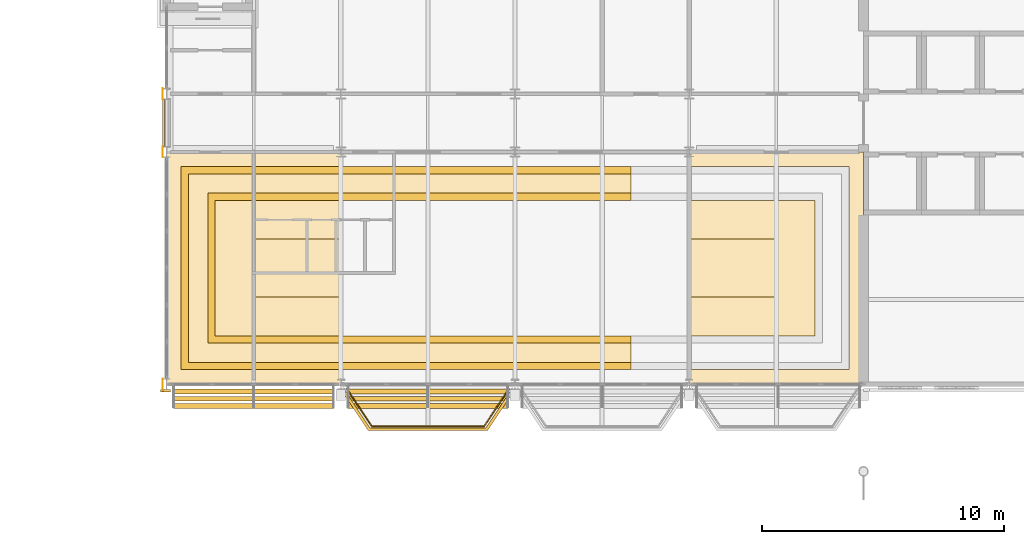
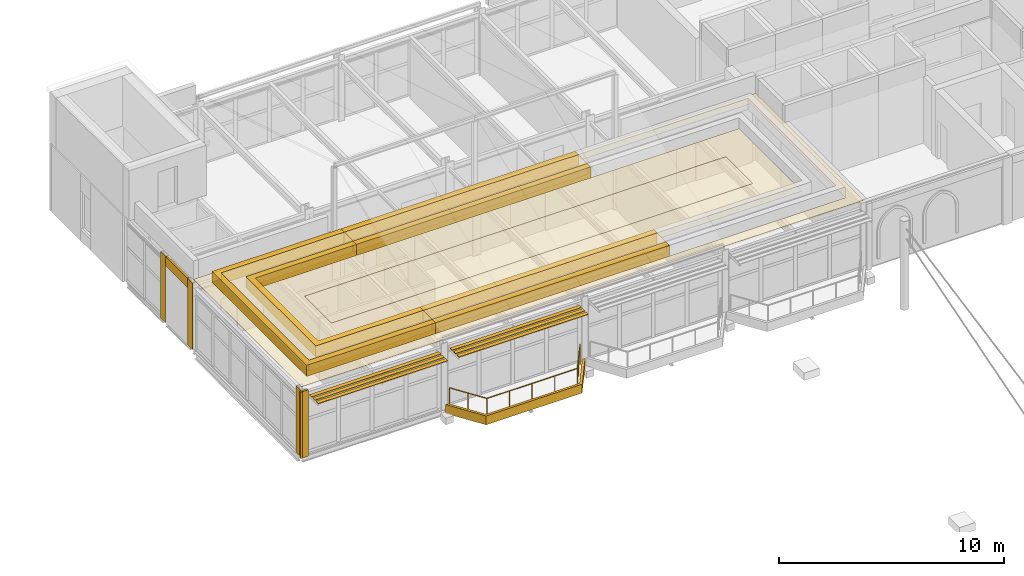
# One storey, part 61 of 68: 19 coverings, 6 shading devices, 1 railing.
"""IFC4 building model written with IfcOpenShell, lengths in metres."""

import ifcopenshell
import ifcopenshell.guid

model = None  # the IFC model being written
_history = None  # IfcOwnerHistory: only IFC2X3 demands one
_inside = {}  # id of a spatial element -> (the spatial element, [elements in it])
_under = {}  # id of a project, library or spatial element -> (it, [spatial elements below it])
_declared = {}  # id of a project -> (the project, [libraries it declares])
_typed = {}  # id of a type object -> (the type object, [elements of that type])
_made_of = {}  # id of a material, layer set ... -> (it, [elements and type objects made of it])


def new_model(schema):
    """Start an empty IFC model of exactly this schema.

    Asked for "IFC4X3", IfcOpenShell would pick the latest addendum, in which some entities
    have other attributes; the version numbers below select the first issue.
    IFC2X3 requires an IfcOwnerHistory on every rooted entity: one is made here for all.
    """
    global model, _history
    if schema == "IFC4X3":
        model = ifcopenshell.file(schema_version=(4, 3, 0, 0))
    else:
        model = ifcopenshell.file(schema=schema)
    _inside.clear()
    _under.clear()
    _declared.clear()
    _typed.clear()
    _made_of.clear()
    _history = None
    if model.schema == "IFC2X3":
        org = make("IfcOrganization", Name="unknown")
        user = make(
            "IfcPersonAndOrganization",
            ThePerson=make("IfcPerson", FamilyName="unknown"),
            TheOrganization=org,
        )
        app = make(
            "IfcApplication",
            ApplicationDeveloper=org,
            Version="unknown",
            ApplicationFullName="unknown",
            ApplicationIdentifier="unknown",
        )
        _history = make(
            "IfcOwnerHistory",
            OwningUser=user,
            OwningApplication=app,
            ChangeAction="ADDED",
            CreationDate=0,
        )
    return model


def make(cls, **values):
    """One entity of the class cls with the attributes given. An attribute that is None is left unset."""
    return model.create_entity(
        cls, **{name: value for name, value in values.items() if value is not None}
    )


def rooted(cls, **values):
    """An entity with a GlobalId (a new one), such as an element, a storey or a relation."""
    return make(cls, GlobalId=ifcopenshell.guid.new(), OwnerHistory=_history, **values)


def si_unit(unit_type, name, prefix=None):
    """IfcSIUnit, for example si_unit("LENGTHUNIT", "METRE", prefix="MILLI")."""
    return make("IfcSIUnit", UnitType=unit_type, Prefix=prefix, Name=name)


def assignment(units):
    """IfcUnitAssignment: the units of a project."""
    return None if units is None else make("IfcUnitAssignment", Units=units)


def point(xyz):
    """IfcCartesianPoint."""
    return None if xyz is None else make("IfcCartesianPoint", Coordinates=xyz)


def direction(xyz):
    """IfcDirection."""
    return None if xyz is None else make("IfcDirection", DirectionRatios=xyz)


def frame(location, z_axis=None, x_axis=None):
    """IfcAxis2Placement3D, a coordinate frame: its origin and axes. An axis left out is left unset."""
    return make(
        "IfcAxis2Placement3D",
        Location=point(location),
        Axis=direction(z_axis),
        RefDirection=direction(x_axis),
    )


def frame_2d(location, x_axis=None):
    """IfcAxis2Placement2D, a coordinate frame in the plane: its origin and x axis."""
    return make(
        "IfcAxis2Placement2D", Location=point(location), RefDirection=direction(x_axis)
    )


def origin():
    """The frame at (0, 0, 0) with its axes left unset."""
    return frame((0.0, 0.0, 0.0))


def origin_2d():
    """The frame at (0, 0) in the plane with its x axis left unset."""
    return frame_2d((0.0, 0.0))


def place(relative_to, where):
    """IfcLocalPlacement: puts the frame where relative to a parent placement (None: the world)."""
    return make(
        "IfcLocalPlacement", PlacementRelTo=relative_to, RelativePlacement=where
    )


def context(
    kind, dimensions, precision=None, world=None, true_north=None, identifier=None
):
    """IfcGeometricRepresentationContext, for example the 3D "Model" context."""
    return make(
        "IfcGeometricRepresentationContext",
        ContextIdentifier=identifier,
        ContextType=kind,
        CoordinateSpaceDimension=dimensions,
        Precision=precision,
        WorldCoordinateSystem=world,
        TrueNorth=true_north,
    )


def subcontext(parent, identifier, kind, view, scale=None):
    """IfcGeometricRepresentationSubContext, for example "Body" below "Model"."""
    return make(
        "IfcGeometricRepresentationSubContext",
        ContextIdentifier=identifier,
        ContextType=kind,
        ParentContext=parent,
        TargetScale=scale,
        TargetView=view,
    )


def project(units=None, contexts=None):
    """IfcProject with its units and contexts."""
    return rooted(
        "IfcProject",
        Name="project",
        RepresentationContexts=contexts,
        UnitsInContext=assignment(units),
    )


def spatial(cls, under=None, at=None, **own):
    """A site, building, storey or space (cls), placed at a placement, below another one or the project."""
    s = rooted(cls, ObjectPlacement=at, **own)
    if under is not None:
        _under.setdefault(under.id(), (under, []))[1].append(s)
    return s


def polyline(points):
    """IfcPolyline through the points."""
    return make("IfcPolyline", Points=[point(p) for p in points])


def profile(cls, at=None, kind="AREA", **sizes):
    """A parametric profile (cls). Its sizes go by their IFC names, for example OverallWidth=200.0."""
    return make(cls, ProfileType=kind, Position=at, **sizes)


def rectangle(**sizes):
    """IfcRectangleProfileDef."""
    return profile("IfcRectangleProfileDef", **sizes)


def circle(**sizes):
    """IfcCircleProfileDef."""
    return profile("IfcCircleProfileDef", **sizes)


def outline(outer, holes=None, kind="AREA"):
    """IfcArbitraryClosedProfileDef: a profile drawn as a closed curve; with holes, ...WithVoids."""
    if holes is None:
        return make("IfcArbitraryClosedProfileDef", ProfileType=kind, OuterCurve=outer)
    return make(
        "IfcArbitraryProfileDefWithVoids",
        ProfileType=kind,
        OuterCurve=outer,
        InnerCurves=holes,
    )


def extrude(swept, where, along, depth):
    """IfcExtrudedAreaSolid: the profile swept, set in the frame where, extruded along a direction by depth."""
    return make(
        "IfcExtrudedAreaSolid",
        SweptArea=swept,
        Position=where,
        ExtrudedDirection=direction(along),
        Depth=depth,
    )


def shape(context_of_items, identifier, shape_type, items):
    """IfcShapeRepresentation: the items that make up one representation, for example the "Body"."""
    return make(
        "IfcShapeRepresentation",
        ContextOfItems=context_of_items,
        RepresentationIdentifier=identifier,
        RepresentationType=shape_type,
        Items=items,
    )


def material(Name=None, Category=None):
    """IfcMaterial."""
    return make("IfcMaterial", Name=Name, Category=Category)


def layer(
    of_material, thickness, ventilated=None, Name=None, Category=None, Priority=None
):
    """IfcMaterialLayer: one layer of a wall or slab, of a material (None: an air gap)."""
    return make(
        "IfcMaterialLayer",
        Material=of_material,
        LayerThickness=thickness,
        IsVentilated=ventilated,
        Name=Name,
        Category=Category,
        Priority=Priority,
    )


def layer_set(layers, Name=None):
    """IfcMaterialLayerSet."""
    return make("IfcMaterialLayerSet", MaterialLayers=layers, LayerSetName=Name)


def made_of(thing, what):
    """Note that an element or type object is made of a material, layer set ...; save() writes the relation."""
    if what is not None:
        _made_of.setdefault(what.id(), (what, []))[1].append(thing)
    return thing


def type_object(cls, material=None, **own):
    """A type object (cls), such as IfcWallType, which elements share."""
    return made_of(rooted(cls, **own), material)


def element(
    cls,
    number,
    at=None,
    inside=None,
    cuts=None,
    type_object=None,
    material=None,
    context=None,
    identifier="Body",
    shape_type=None,
    held_by="IfcProductDefinitionShape",
    body=None,
    shapes=None,
    **own,
):
    """One element of the class cls, such as IfcWall. Its Tag is "e" and its number.

    at: its placement. inside: the storey or other place that contains it. cuts: it is an
    opening in that element (IfcRelVoidsElement). A single representation is given by context,
    identifier, shape_type and body (its items); several are given by shapes. held_by: the class
    of the entity that holds the representations. save() writes the other relations.
    """
    e = rooted(cls, Tag="e%d" % number, ObjectPlacement=at, **own)
    if body is not None:
        shapes = [shape(context, identifier, shape_type, body)]
    if shapes is not None:
        e.Representation = make(held_by, Representations=shapes)
    if inside is not None:
        _inside.setdefault(inside.id(), (inside, []))[1].append(e)
    if cuts is not None:
        rooted(
            "IfcRelVoidsElement", RelatingBuildingElement=cuts, RelatedOpeningElement=e
        )
    if type_object is not None:
        _typed.setdefault(type_object.id(), (type_object, []))[1].append(e)
    return made_of(e, material)


def aggregate(whole, parts):
    """IfcRelAggregates: a whole, such as a stair, and the parts it consists of."""
    return rooted("IfcRelAggregates", RelatingObject=whole, RelatedObjects=parts)


def save(model, path):
    """Write the relations noted so far, then the file.

    IfcRelAggregates (storeys below a building ...), IfcRelContainedInSpatialStructure (elements
    in a storey), IfcRelDefinesByType, IfcRelAssociatesMaterial and IfcRelDeclares: one each for
    every whole, place, type object, material and project.
    """
    for whole, parts in _under.values():
        aggregate(whole, parts)
    for where, things in _inside.values():
        rooted(
            "IfcRelContainedInSpatialStructure",
            RelatedElements=things,
            RelatingStructure=where,
        )
    for kind, things in _typed.values():
        rooted("IfcRelDefinesByType", RelatedObjects=things, RelatingType=kind)
    for what, things in _made_of.values():
        rooted("IfcRelAssociatesMaterial", RelatedObjects=things, RelatingMaterial=what)
    for by, libraries in _declared.values():
        rooted("IfcRelDeclares", RelatingContext=by, RelatedDefinitions=libraries)
    model.write(path)


model = new_model("IFC4")

# Units and contexts
model_context = context("Model", 3, precision=1e-05, world=origin(), true_north=direction((0.0, 1.0)))
body_context = subcontext(model_context, "Body", "Model", "MODEL_VIEW")
ifc_project = project(units=[si_unit("LENGTHUNIT", "METRE"), si_unit("AREAUNIT", "SQUARE_METRE"), si_unit("VOLUMEUNIT", "CUBIC_METRE"), si_unit("PLANEANGLEUNIT", "RADIAN"), si_unit("MASSUNIT", "GRAM", prefix="KILO")], contexts=[model_context])

# Site, building, storey
site_placement = place(None, origin())
site = spatial("IfcSite", under=ifc_project, at=site_placement, CompositionType="ELEMENT")
building_placement = place(site_placement, origin())
building = spatial("IfcBuilding", under=site, at=building_placement, Name="Kupolbacken Congress Centre", CompositionType="ELEMENT")
storey_placement = place(building_placement, frame((0.0, 0.0, 25.199951171875)))
storey = spatial("IfcBuildingStorey", under=building, at=storey_placement, Name="L07", CompositionType="ELEMENT", Elevation=25.199951171875)

# Coverings
ifc_material_1 = material(Name="Limestone cladding", Category="masonry")
ifc_layer_1 = layer(ifc_material_1, 0.1201171875)
ifc_layer_set_1 = layer_set([ifc_layer_1], Name="Limestone cladding")
covering_type_1 = type_object("IfcCoveringType", Name="CV1 limestone cladding band 120", PredefinedType="CLADDING", material=ifc_layer_set_1)
covering_1_placement = place(storey_placement, frame((0.0, 0.0, -0.199951171875)))
element("IfcCovering", 1, at=covering_1_placement, inside=storey, type_object=covering_type_1, Name="E/T/belt/L07/S/72", PredefinedType="CLADDING", context=body_context, shape_type="SweptSolid", body=[
    extrude(outline(polyline([(79.177490234375, 122.14990234375), (79.033203125, 122.14990234375), (78.0, 120.60009765625), (73.199951171875, 120.60009765625), (72.166748046875, 122.14990234375), (72.0224609375, 122.14990234375), (73.1357421875, 120.47998046875), (78.064208984375, 120.47998046875), (79.177490234375, 122.14990234375)])), origin(), (0.0, 0.0, 1.0), 0.47998046875),
])
covering_2_placement = place(storey_placement, frame((64.672607421875, 133.199951171875, 3.08984375), z_axis=(0.0, 0.0, 1.0), x_axis=(0.0, -1.0, 0.0)))
element("IfcCovering", 2, at=covering_2_placement, inside=storey, type_object=covering_type_1, Name="E/T/W/L07/122/band", PredefinedType="CLADDING", context=body_context, shape_type="SweptSolid", body=[
    extrude(rectangle(XDim=1.949951171875, YDim=0.0849609375, at=origin_2d()), origin(), (0.0, 0.0, 1.0), 0.510009765625),
])
ifc_material_2 = material(Name="Brick cladding", Category="masonry")
ifc_layer_2 = layer(ifc_material_2, 0.10791015625)
ifc_layer_set_2 = layer_set([ifc_layer_2], Name="Brick cladding")
covering_type_2 = type_object("IfcCoveringType", Name="CV2 brick cladding band 108", PredefinedType="CLADDING", material=ifc_layer_set_2)
covering_3_placement = place(storey_placement, frame((64.60009765625, 122.125, 0.0), z_axis=(0.0, 0.0, 1.0), x_axis=(1.0, 0.0, 0.0)))
element("IfcCovering", 3, at=covering_3_placement, inside=storey, type_object=covering_type_2, Name="E/T/pilaster/L07/C-T-10T/corner", PredefinedType="CLADDING", context=body_context, shape_type="SweptSolid", body=[
    extrude(rectangle(XDim=0.10009765625, YDim=0.10009765625, at=origin_2d()), origin(), (0.0, 0.0, 1.0), 3.60009765625),
])
covering_4_placement = place(storey_placement, frame((64.800048828125, 122.125, 0.0), z_axis=(0.0, 0.0, 1.0), x_axis=(1.0, 0.0, 0.0)))
element("IfcCovering", 4, at=covering_4_placement, inside=storey, type_object=covering_type_2, Name="E/T/pilaster/L07/C-T-10T/S", PredefinedType="CLADDING", context=body_context, shape_type="SweptSolid", body=[
    extrude(rectangle(XDim=0.300048828125, YDim=0.10009765625, at=origin_2d()), origin(), (0.0, 0.0, 1.0), 3.60009765625),
])
for number, where, z_axis, x_axis, name in (
    (5, (64.639892578125, 122.39990234375, 0.0), (0.0, 0.0, 1.0), (1.0, 0.0, 0.0), "E/T/pilaster/L07/C-T-10T/W"),
    (6, (64.639892578125, 132.0, 0.0), (0.0, 0.0, 1.0), (1.0, 0.0, 0.0), "E/T/pilaster/L07/C-T-10U+2400/W"),
    (7, (64.639892578125, 134.39990234375, 0.0), (0.0, 0.0, 1.0), (1.0, 0.0, 0.0), "E/T/pilaster/L07/C-T-10U+4800/W"),
):
    element("IfcCovering", number, at=place(storey_placement, frame(where, z_axis=z_axis, x_axis=x_axis)), inside=storey, type_object=covering_type_2, Name=name, PredefinedType="CLADDING", context=body_context, shape_type="SweptSolid", body=[
        extrude(rectangle(XDim=0.02001953125, YDim=0.449951171875, at=origin_2d()), origin(), (0.0, 0.0, 1.0), 3.60009765625),
    ])
ifc_material_3 = material(Name="Limestone cladding", Category="masonry")
ifc_layer_3 = layer(ifc_material_3, 0.60009765625)
ifc_layer_set_3 = layer_set([ifc_layer_3], Name="Limestone cladding")
covering_type_3 = type_object("IfcCoveringType", Name="CV5 limestone arcade pier 600", PredefinedType="CLADDING", material=ifc_layer_set_3)
covering_5_placement = place(storey_placement, frame((0.0, 0.0, 3.60009765625)))
element("IfcCovering", 8, at=covering_5_placement, inside=storey, type_object=covering_type_3, Name="Bed kerb, roof garden", PredefinedType="CLADDING", context=body_context, shape_type="SweptSolid", body=[
    extrude(outline(polyline([(65.402587890625, 123.00244140625), (65.402587890625, 131.3974609375), (72.0, 131.3974609375), (72.0, 131.097412109375), (65.702392578125, 131.097412109375), (65.702392578125, 123.302490234375), (72.0, 123.302490234375), (72.0, 123.00244140625), (65.402587890625, 123.00244140625)])), origin(), (0.0, 0.0, 1.0), 0.599853515625),
])
covering_6_placement = place(storey_placement, frame((0.0, 0.0, 3.60009765625)))
element("IfcCovering", 9, at=covering_6_placement, inside=storey, type_object=covering_type_3, Name="Bed kerb, roof garden", PredefinedType="CLADDING", context=body_context, shape_type="SweptSolid", body=[
    extrude(outline(polyline([(72.0, 123.00244140625), (72.0, 123.302490234375), (84.0, 123.302490234375), (84.0, 123.00244140625), (72.0, 123.00244140625)])), origin(), (0.0, 0.0, 1.0), 0.599853515625),
])
covering_7_placement = place(storey_placement, frame((0.0, 0.0, 3.60009765625)))
element("IfcCovering", 10, at=covering_7_placement, inside=storey, type_object=covering_type_3, Name="Bed kerb, roof garden", PredefinedType="CLADDING", context=body_context, shape_type="SweptSolid", body=[
    extrude(outline(polyline([(84.0, 131.3974609375), (84.0, 131.097412109375), (72.0, 131.097412109375), (72.0, 131.3974609375), (84.0, 131.3974609375)])), origin(), (0.0, 0.0, 1.0), 0.599853515625),
])
covering_8_placement = place(storey_placement, frame((0.0, 0.0, 3.60009765625)))
element("IfcCovering", 11, at=covering_8_placement, inside=storey, type_object=covering_type_3, Name="Bed kerb, roof garden", PredefinedType="CLADDING", context=body_context, shape_type="SweptSolid", body=[
    extrude(outline(polyline([(66.50244140625, 124.1025390625), (66.50244140625, 130.297607421875), (72.0, 130.297607421875), (72.0, 129.99755859375), (66.802490234375, 129.99755859375), (66.802490234375, 124.402587890625), (72.0, 124.402587890625), (72.0, 124.1025390625), (66.50244140625, 124.1025390625)])), origin(), (0.0, 0.0, 1.0), 0.599853515625),
])
covering_9_placement = place(storey_placement, frame((0.0, 0.0, 3.60009765625)))
element("IfcCovering", 12, at=covering_9_placement, inside=storey, type_object=covering_type_3, Name="Bed kerb, roof garden", PredefinedType="CLADDING", context=body_context, shape_type="SweptSolid", body=[
    extrude(outline(polyline([(72.0, 124.1025390625), (72.0, 124.402587890625), (84.0, 124.402587890625), (84.0, 124.1025390625), (72.0, 124.1025390625)])), origin(), (0.0, 0.0, 1.0), 0.599853515625),
])
covering_10_placement = place(storey_placement, frame((0.0, 0.0, 3.60009765625)))
element("IfcCovering", 13, at=covering_10_placement, inside=storey, type_object=covering_type_3, Name="Bed kerb, roof garden", PredefinedType="CLADDING", context=body_context, shape_type="SweptSolid", body=[
    extrude(outline(polyline([(84.0, 130.297607421875), (84.0, 129.99755859375), (72.0, 129.99755859375), (72.0, 130.297607421875), (84.0, 130.297607421875)])), origin(), (0.0, 0.0, 1.0), 0.599853515625),
])
ifc_material_4 = material(Name="Limestone cladding", Category="masonry")
ifc_layer_4 = layer(ifc_material_4, 0.02001953125)
ifc_layer_set_4 = layer_set([ifc_layer_4], Name="Limestone cladding")
covering_type_4 = type_object("IfcCoveringType", Name="GF1 limestone paving 20", PredefinedType="FLOORING", material=ifc_layer_set_4)
covering_11_placement = place(storey_placement, frame((0.0, 0.0, 3.60009765625)))
element("IfcCovering", 14, at=covering_11_placement, inside=storey, type_object=covering_type_4, Name="Roof walk, roof garden", PredefinedType="FLOORING", context=body_context, shape_type="SweptSolid", body=[
    extrude(outline(polyline([(93.597412109375, 122.429931640625), (71.969970703125, 122.429931640625), (71.969970703125, 122.402587890625), (64.802490234375, 122.402587890625), (64.802490234375, 131.99755859375), (93.597412109375, 131.99755859375), (93.597412109375, 122.429931640625)]), holes=[polyline([(92.99755859375, 123.00244140625), (92.99755859375, 131.3974609375), (65.402587890625, 131.3974609375), (65.402587890625, 123.00244140625), (92.99755859375, 123.00244140625)])]), origin(), (0.0, 0.0, 1.0), 0.02001953125),
])
covering_12_placement = place(storey_placement, frame((0.0, 0.0, 3.60009765625)))
element("IfcCovering", 15, at=covering_12_placement, inside=storey, type_object=covering_type_4, Name="Roof walk, roof garden", PredefinedType="FLOORING", context=body_context, shape_type="SweptSolid", body=[
    extrude(outline(polyline([(89.99755859375, 126.00244140625), (68.402587890625, 126.00244140625), (68.402587890625, 128.3974609375), (89.99755859375, 128.3974609375), (89.99755859375, 126.00244140625)])), origin(), (0.0, 0.0, 1.0), 0.02001953125),
])
ifc_material_5 = material(Name="Brick", Category="masonry")
ifc_layer_5 = layer(ifc_material_5, 0.02001953125)
ifc_layer_set_5 = layer_set([ifc_layer_5], Name="Brick")
covering_type_5 = type_object("IfcCoveringType", Name="GF2 brick paving 20", PredefinedType="FLOORING", material=ifc_layer_set_5)
covering_13_placement = place(storey_placement, frame((0.0, 0.0, 3.60009765625)))
element("IfcCovering", 16, at=covering_13_placement, inside=storey, type_object=covering_type_5, Name="Roof walk border, roof garden", PredefinedType="FLOORING", context=body_context, shape_type="SweptSolid", body=[
    extrude(outline(polyline([(91.597412109375, 129.99755859375), (91.597412109375, 124.402587890625), (66.802490234375, 124.402587890625), (66.802490234375, 129.99755859375), (91.597412109375, 129.99755859375)]), holes=[polyline([(68.402587890625, 126.00244140625), (89.99755859375, 126.00244140625), (89.99755859375, 128.3974609375), (68.402587890625, 128.3974609375), (68.402587890625, 126.00244140625)])]), origin(), (0.0, 0.0, 1.0), 0.02001953125),
])
ifc_material_6 = material(Name="Planting substrate", Category="soil")
ifc_layer_6 = layer(ifc_material_6, 0.60009765625)
ifc_layer_set_6 = layer_set([ifc_layer_6], Name="Planting substrate")
covering_type_6 = type_object("IfcCoveringType", Name="GR8 planting substrate 600", PredefinedType="FLOORING", material=ifc_layer_set_6)
covering_14_placement = place(storey_placement, frame((0.0, 0.0, 3.60009765625)))
element("IfcCovering", 17, at=covering_14_placement, inside=storey, type_object=covering_type_6, Name="Planting bed, roof garden", PredefinedType="FLOORING", context=body_context, shape_type="SweptSolid", body=[
    extrude(outline(polyline([(72.0, 131.097412109375), (72.0, 130.297607421875), (66.50244140625, 130.297607421875), (66.50244140625, 124.1025390625), (72.0, 124.1025390625), (72.0, 123.302490234375), (65.702392578125, 123.302490234375), (65.702392578125, 131.097412109375), (72.0, 131.097412109375)])), origin(), (0.0, 0.0, 1.0), 0.599853515625),
])
covering_15_placement = place(storey_placement, frame((0.0, 0.0, 3.60009765625)))
element("IfcCovering", 18, at=covering_15_placement, inside=storey, type_object=covering_type_6, Name="Planting bed, roof garden", PredefinedType="FLOORING", context=body_context, shape_type="SweptSolid", body=[
    extrude(outline(polyline([(84.0, 131.097412109375), (84.0, 130.297607421875), (72.0, 130.297607421875), (72.0, 131.097412109375), (84.0, 131.097412109375)])), origin(), (0.0, 0.0, 1.0), 0.599853515625),
])
covering_16_placement = place(storey_placement, frame((0.0, 0.0, 3.60009765625)))
element("IfcCovering", 19, at=covering_16_placement, inside=storey, type_object=covering_type_6, Name="Planting bed, roof garden", PredefinedType="FLOORING", context=body_context, shape_type="SweptSolid", body=[
    extrude(outline(polyline([(72.0, 123.302490234375), (72.0, 124.1025390625), (84.0, 124.1025390625), (84.0, 123.302490234375), (72.0, 123.302490234375)])), origin(), (0.0, 0.0, 1.0), 0.599853515625),
])

# Railing
ifc_material_7 = material(Name="Steel S235", Category="steel")
railing_type = type_object("IfcRailingType", Name="RL1 guard 1100 steel balustrade", PredefinedType="GUARDRAIL", material=ifc_material_7)
railing_placement = place(storey_placement, frame((72.25341796875, 122.199951171875, 0.0)))
element("IfcRailing", 20, at=railing_placement, inside=storey, type_object=railing_type, Name="E/T/guard/LEDGE-L07-S72", PredefinedType="GUARDRAIL", context=body_context, shape_type="SweptSolid", body=[
    extrude(circle(Radius=0.02392578125, at=origin_2d()), frame((0.0, 0.0, 1.076171875), z_axis=(0.554760897331, -0.832009823736, 0.0), x_axis=(0.832009823736, 0.554760897331, 0.0)), (0.0, 0.0, 1.0), 1.856201171875),
    extrude(circle(Radius=0.02392578125, at=origin_2d()), frame((1.02978515625, -1.54443359375, 1.076171875), z_axis=(1.0, 0.0, 0.0), x_axis=(0.0, 1.0, 0.0)), (0.0, 0.0, 1.0), 4.633544921875),
    extrude(circle(Radius=0.02392578125, at=origin_2d()), frame((5.663330078125, -1.54443359375, 1.076171875), z_axis=(0.554760897331, 0.832009823736, 0.0), x_axis=(-0.832009823736, 0.554760897331, 0.0)), (0.0, 0.0, 1.0), 1.856201171875),
    extrude(circle(Radius=0.02099609375, at=origin_2d()), origin(), (0.0, 0.0, 1.0), 1.052001953125),
    extrude(circle(Radius=0.02099609375, at=origin_2d()), frame((0.514892578125, -0.772216796875, 0.0)), (0.0, 0.0, 1.0), 1.052001953125),
    extrude(circle(Radius=0.02099609375, at=origin_2d()), frame((1.02978515625, -1.54443359375, 0.0)), (0.0, 0.0, 1.0), 1.052001953125),
    extrude(circle(Radius=0.02099609375, at=origin_2d()), frame((2.188232421875, -1.54443359375, 0.0)), (0.0, 0.0, 1.0), 1.052001953125),
    extrude(circle(Radius=0.02099609375, at=origin_2d()), frame((3.3466796875, -1.54443359375, 0.0)), (0.0, 0.0, 1.0), 1.052001953125),
    extrude(circle(Radius=0.02099609375, at=origin_2d()), frame((4.5048828125, -1.54443359375, 0.0)), (0.0, 0.0, 1.0), 1.052001953125),
    extrude(circle(Radius=0.02099609375, at=origin_2d()), frame((5.663330078125, -1.54443359375, 0.0)), (0.0, 0.0, 1.0), 1.052001953125),
    extrude(circle(Radius=0.02099609375, at=origin_2d()), frame((6.17822265625, -0.772216796875, 0.0)), (0.0, 0.0, 1.0), 1.052001953125),
    extrude(circle(Radius=0.02099609375, at=origin_2d()), frame((6.693115234375, 0.0, 0.0)), (0.0, 0.0, 1.0), 1.052001953125),
])

# Shading devices
ifc_material_8 = material(Name="Aluminium alloy louvre", Category="aluminium")
ifc_layer_7 = layer(ifc_material_8, 0.030029296875)
ifc_layer_set_7 = layer_set([ifc_layer_7], Name="Aluminium alloy louvre")
shading_device_type = type_object("IfcShadingDeviceType", Name="SC1 louvre blade 30 x 200", PredefinedType="JALOUSIE", material=ifc_layer_set_7)
for number, where, z_axis, x_axis, name in (
    (21, (68.398193359375, 122.10009765625, 3.18994140625), (0.0, 0.0, 1.0), (1.0, 0.0, 0.0), "Brise-soleil blade"),
    (22, (68.398193359375, 121.800048828125, 3.18994140625), (0.0, 0.0, 1.0), (1.0, 0.0, 0.0), "Brise-soleil blade"),
    (23, (68.398193359375, 121.5, 3.18994140625), (0.0, 0.0, 1.0), (1.0, 0.0, 0.0), "Brise-soleil blade"),
):
    element("IfcShadingDevice", number, at=place(storey_placement, frame(where, z_axis=z_axis, x_axis=x_axis)), inside=storey, type_object=shading_device_type, Name=name, PredefinedType="JALOUSIE", context=body_context, shape_type="SweptSolid", body=[
        extrude(rectangle(XDim=6.636474609375, YDim=0.199951171875, at=origin_2d()), origin(), (0.0, 0.0, 1.0), 0.030029296875),
    ])
for number, where, z_axis, x_axis, name in (
    (24, (75.60009765625, 122.10009765625, 3.18994140625), (0.0, 0.0, 1.0), (1.0, 0.0, 0.0), "Brise-soleil blade"),
    (25, (75.60009765625, 121.800048828125, 3.18994140625), (0.0, 0.0, 1.0), (1.0, 0.0, 0.0), "Brise-soleil blade"),
    (26, (75.60009765625, 121.5, 3.18994140625), (0.0, 0.0, 1.0), (1.0, 0.0, 0.0), "Brise-soleil blade"),
):
    element("IfcShadingDevice", number, at=place(storey_placement, frame(where, z_axis=z_axis, x_axis=x_axis)), inside=storey, type_object=shading_device_type, Name=name, PredefinedType="JALOUSIE", context=body_context, shape_type="SweptSolid", body=[
        extrude(rectangle(XDim=6.633056640625, YDim=0.199951171875, at=origin_2d()), origin(), (0.0, 0.0, 1.0), 0.030029296875),
    ])

save(model, "model.ifc")
